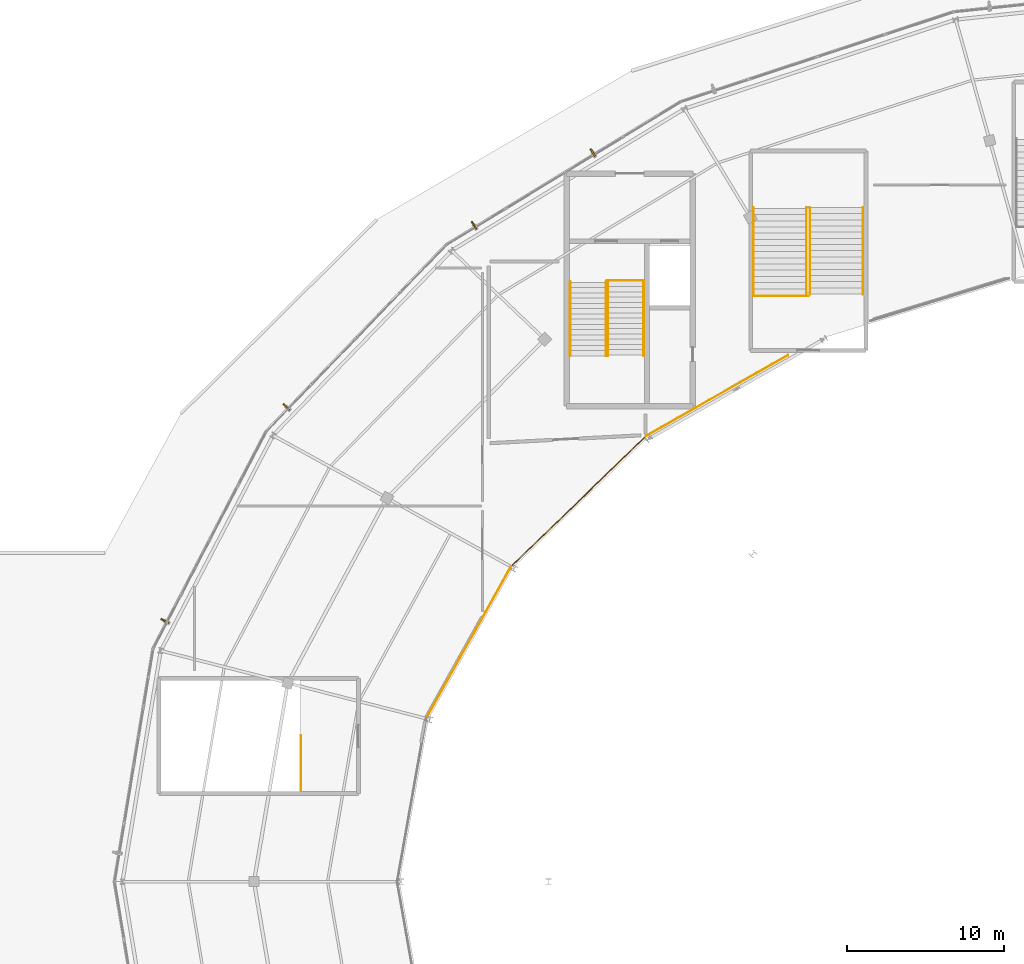
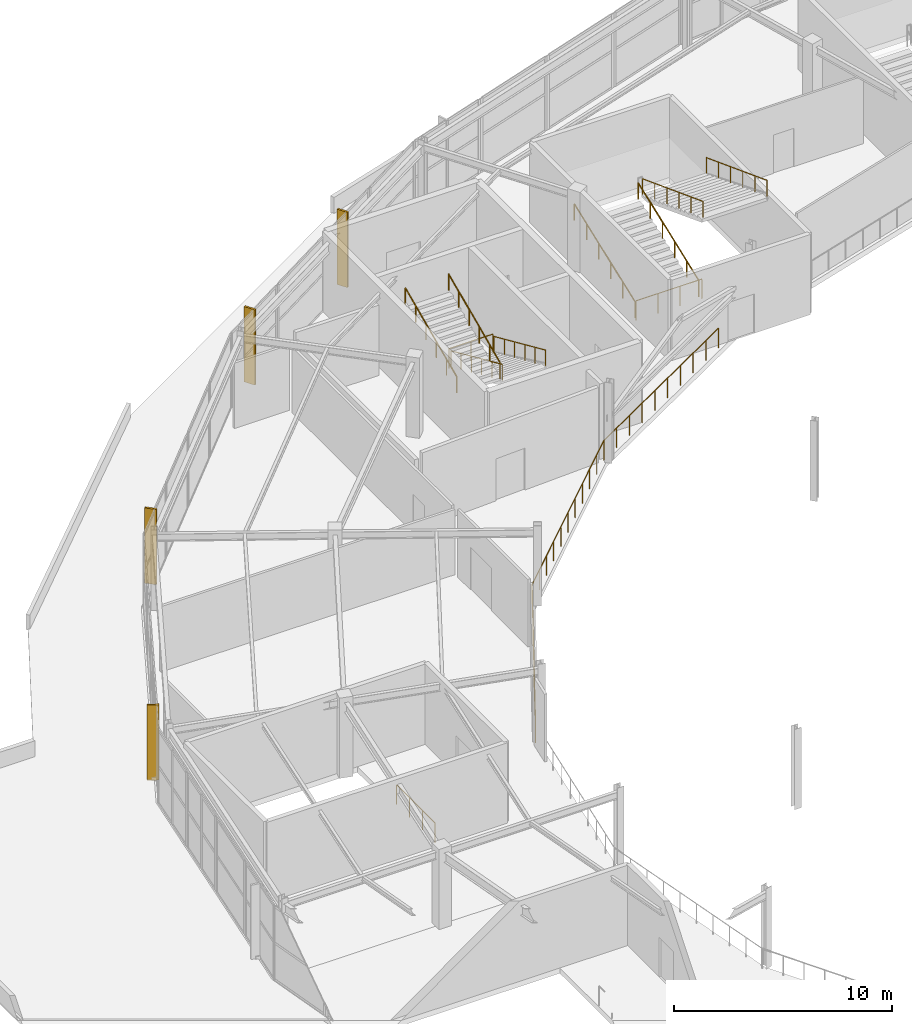
# One storey, part 121 of 126: 14 railings, 4 shading devices.
"""IFC4 building model written with IfcOpenShell, lengths in metres."""

from ifc_helpers import new_model, si_unit, direction, frame, origin, origin_2d, place, context, subcontext, project, spatial, rectangle, circle, extrude, material, layer, layer_set, type_object, element, save


model = new_model("IFC4")

# Units and contexts
model_context = context("Model", 3, precision=1e-05, world=origin(), true_north=direction((0.0, 1.0)))
body_context = subcontext(model_context, "Body", "Model", "MODEL_VIEW")
ifc_project = project(units=[si_unit("LENGTHUNIT", "METRE"), si_unit("AREAUNIT", "SQUARE_METRE"), si_unit("VOLUMEUNIT", "CUBIC_METRE"), si_unit("PLANEANGLEUNIT", "RADIAN"), si_unit("MASSUNIT", "GRAM", prefix="KILO")], contexts=[model_context])

# Site, building, storey
site_placement = place(None, origin())
site = spatial("IfcSite", under=ifc_project, at=site_placement, CompositionType="ELEMENT")
building_placement = place(site_placement, origin())
building = spatial("IfcBuilding", under=site, at=building_placement, Name="Kalgoora Escarpment Arena", CompositionType="ELEMENT")
storey_placement = place(building_placement, frame((0.0, 0.0, 18.89990234375)))
storey = spatial("IfcBuildingStorey", under=building, at=storey_placement, Name="L04", CompositionType="ELEMENT", Elevation=18.89990234375)

# Railings
ifc_material_1 = material(Name="Galvanised & powdercoated tubular steel", Category="steel")
railing_type_1 = type_object("IfcRailingType", Name="RAL-GUARD-1120", PredefinedType="GUARDRAIL", material=ifc_material_1)
railing_1_placement = place(storey_placement, frame((53.889892578125, 102.389892578125, 0.0)))
element("IfcRailing", 1, at=railing_1_placement, inside=storey, type_object=railing_type_1, Name="ST03 L04 floor landing well guard", PredefinedType="GUARDRAIL", context=body_context, shape_type="SweptSolid", body=[
    extrude(circle(Radius=0.02392578125, at=origin_2d()), frame((0.0, 0.0, 1.09619140625), z_axis=(-1.0, 0.0, 0.0), x_axis=(0.0, -1.0, 0.0)), (0.0, 0.0, 1.0), 2.33984375),
    extrude(circle(Radius=0.02099609375, at=origin_2d()), origin(), (0.0, 0.0, 1.0), 1.072021484375),
    extrude(circle(Radius=0.02099609375, at=origin_2d()), frame((-1.169921875, 0.0, 0.0)), (0.0, 0.0, 1.0), 1.072021484375),
    extrude(circle(Radius=0.02099609375, at=origin_2d()), frame((-2.33984375, 0.0, 0.0)), (0.0, 0.0, 1.0), 1.072021484375),
])
railing_2_placement = place(storey_placement, frame((60.909912109375, 101.409912109375, 0.0)))
element("IfcRailing", 2, at=railing_2_placement, inside=storey, type_object=railing_type_1, Name="ST09 L04 floor landing well guard", PredefinedType="GUARDRAIL", context=body_context, shape_type="SweptSolid", body=[
    extrude(circle(Radius=0.02392578125, at=origin_2d()), frame((0.0, 0.0, 1.09619140625), z_axis=(1.0, 0.0, 0.0), x_axis=(0.0, 1.0, 0.0)), (0.0, 0.0, 1.0), 3.489990234375),
    extrude(circle(Radius=0.02099609375, at=origin_2d()), origin(), (0.0, 0.0, 1.0), 1.072021484375),
    extrude(circle(Radius=0.02099609375, at=origin_2d()), frame((1.163330078125, 0.0, 0.0)), (0.0, 0.0, 1.0), 1.072021484375),
    extrude(circle(Radius=0.02099609375, at=origin_2d()), frame((2.32666015625, 0.0, 0.0)), (0.0, 0.0, 1.0), 1.072021484375),
    extrude(circle(Radius=0.02099609375, at=origin_2d()), frame((3.489990234375, 0.0, 0.0)), (0.0, 0.0, 1.0), 1.072021484375),
])
railing_3_placement = place(storey_placement, frame((32.010009765625, 69.81005859375, 0.0)))
element("IfcRailing", 3, at=railing_3_placement, inside=storey, type_object=railing_type_1, Name="ST17 top landing well guardrail", PredefinedType="GUARDRAIL", context=body_context, shape_type="SweptSolid", body=[
    extrude(circle(Radius=0.02392578125, at=origin_2d()), frame((0.0, 0.0, 1.09619140625), z_axis=(0.0, 1.0, 0.0), x_axis=(-1.0, 0.0, 0.0)), (0.0, 0.0, 1.0), 3.530029296875),
    extrude(circle(Radius=0.02099609375, at=origin_2d()), origin(), (0.0, 0.0, 1.0), 1.072021484375),
    extrude(circle(Radius=0.02099609375, at=origin_2d()), frame((0.0, 1.1767578125, 0.0)), (0.0, 0.0, 1.0), 1.072021484375),
    extrude(circle(Radius=0.02099609375, at=origin_2d()), frame((0.0, 2.353271484375, 0.0)), (0.0, 0.0, 1.0), 1.072021484375),
    extrude(circle(Radius=0.02099609375, at=origin_2d()), frame((0.0, 3.530029296875, 0.0)), (0.0, 0.0, 1.0), 1.072021484375),
])
railing_4_placement = place(storey_placement, frame((63.101318359375, 97.6201171875, 0.0)))
element("IfcRailing", 4, at=railing_4_placement, inside=storey, type_object=railing_type_1, Name="L04 concourse bowl balustrade 09", PredefinedType="GUARDRAIL", context=body_context, shape_type="SweptSolid", body=[
    extrude(circle(Radius=0.02392578125, at=origin_2d()), frame((0.0, 0.0, 1.09619140625), z_axis=(-0.869025858852, -0.494766668892, 0.0), x_axis=(0.494766668892, -0.869025858852, 0.0)), (0.0, 0.0, 1.0), 10.427490234375),
    extrude(circle(Radius=0.02099609375, at=origin_2d()), origin(), (0.0, 0.0, 1.0), 1.072021484375),
    extrude(circle(Radius=0.02099609375, at=origin_2d()), frame((-1.0068359375, -0.5732421875, 0.0)), (0.0, 0.0, 1.0), 1.072021484375),
    extrude(circle(Radius=0.02099609375, at=origin_2d()), frame((-2.013671875, -1.146484375, 0.0)), (0.0, 0.0, 1.0), 1.072021484375),
    extrude(circle(Radius=0.02099609375, at=origin_2d()), frame((-3.0205078125, -1.7197265625, 0.0)), (0.0, 0.0, 1.0), 1.072021484375),
    extrude(circle(Radius=0.02099609375, at=origin_2d()), frame((-4.02734375, -2.29296875, 0.0)), (0.0, 0.0, 1.0), 1.072021484375),
    extrude(circle(Radius=0.02099609375, at=origin_2d()), frame((-5.034423828125, -2.8662109375, 0.0)), (0.0, 0.0, 1.0), 1.072021484375),
    extrude(circle(Radius=0.02099609375, at=origin_2d()), frame((-6.041259765625, -3.439453125, 0.0)), (0.0, 0.0, 1.0), 1.072021484375),
    extrude(circle(Radius=0.02099609375, at=origin_2d()), frame((-7.048095703125, -4.0126953125, 0.0)), (0.0, 0.0, 1.0), 1.072021484375),
    extrude(circle(Radius=0.02099609375, at=origin_2d()), frame((-8.054931640625, -4.5859375, 0.0)), (0.0, 0.0, 1.0), 1.072021484375),
    extrude(circle(Radius=0.02099609375, at=origin_2d()), frame((-9.061767578125, -5.1591796875, 0.0)), (0.0, 0.0, 1.0), 1.072021484375),
])
railing_5_placement = place(storey_placement, frame((54.03955078125, 92.4609375, 0.0)))
element("IfcRailing", 5, at=railing_5_placement, inside=storey, type_object=railing_type_1, Name="L04 concourse bowl balustrade 10", PredefinedType="GUARDRAIL", context=body_context, shape_type="SweptSolid", body=[
    extrude(circle(Radius=0.02392578125, at=origin_2d()), frame((0.0, 0.0, 1.09619140625), z_axis=(-0.718905968005, -0.695107336436, 0.0), x_axis=(0.695107336436, -0.718905968005, 0.0)), (0.0, 0.0, 1.0), 11.9921875),
    extrude(circle(Radius=0.02099609375, at=origin_2d()), origin(), (0.0, 0.0, 1.0), 1.072021484375),
    extrude(circle(Radius=0.02099609375, at=origin_2d()), frame((-0.862060546875, -0.83349609375, 0.0)), (0.0, 0.0, 1.0), 1.072021484375),
    extrude(circle(Radius=0.02099609375, at=origin_2d()), frame((-1.724365234375, -1.667236328125, 0.0)), (0.0, 0.0, 1.0), 1.072021484375),
    extrude(circle(Radius=0.02099609375, at=origin_2d()), frame((-2.58642578125, -2.500732421875, 0.0)), (0.0, 0.0, 1.0), 1.072021484375),
    extrude(circle(Radius=0.02099609375, at=origin_2d()), frame((-3.448486328125, -3.33447265625, 0.0)), (0.0, 0.0, 1.0), 1.072021484375),
    extrude(circle(Radius=0.02099609375, at=origin_2d()), frame((-4.310546875, -4.16796875, 0.0)), (0.0, 0.0, 1.0), 1.072021484375),
    extrude(circle(Radius=0.02099609375, at=origin_2d()), frame((-5.1728515625, -5.00146484375, 0.0)), (0.0, 0.0, 1.0), 1.072021484375),
    extrude(circle(Radius=0.02099609375, at=origin_2d()), frame((-6.034912109375, -5.835205078125, 0.0)), (0.0, 0.0, 1.0), 1.072021484375),
    extrude(circle(Radius=0.02099609375, at=origin_2d()), frame((-6.89697265625, -6.668701171875, 0.0)), (0.0, 0.0, 1.0), 1.072021484375),
    extrude(circle(Radius=0.02099609375, at=origin_2d()), frame((-7.75927734375, -7.50244140625, 0.0)), (0.0, 0.0, 1.0), 1.072021484375),
    extrude(circle(Radius=0.02099609375, at=origin_2d()), frame((-8.621337890625, -8.3359375, 0.0)), (0.0, 0.0, 1.0), 1.072021484375),
])
railing_6_placement = place(storey_placement, frame((45.418212890625, 84.125, 0.0)))
element("IfcRailing", 6, at=railing_6_placement, inside=storey, type_object=railing_type_1, Name="L04 concourse bowl balustrade 11", PredefinedType="GUARDRAIL", context=body_context, shape_type="SweptSolid", body=[
    extrude(circle(Radius=0.02392578125, at=origin_2d()), frame((0.0, 0.0, 1.09619140625), z_axis=(-0.487470898581, -0.873139234622, 0.0), x_axis=(0.873139234622, -0.487470898581, 0.0)), (0.0, 0.0, 1.0), 11.117919921875),
    extrude(circle(Radius=0.02099609375, at=origin_2d()), origin(), (0.0, 0.0, 1.0), 1.072021484375),
    extrude(circle(Radius=0.02099609375, at=origin_2d()), frame((-0.5419921875, -0.970703125, 0.0)), (0.0, 0.0, 1.0), 1.072021484375),
    extrude(circle(Radius=0.02099609375, at=origin_2d()), frame((-1.083984375, -1.94140625, 0.0)), (0.0, 0.0, 1.0), 1.072021484375),
    extrude(circle(Radius=0.02099609375, at=origin_2d()), frame((-1.6259765625, -2.912353515625, 0.0)), (0.0, 0.0, 1.0), 1.072021484375),
    extrude(circle(Radius=0.02099609375, at=origin_2d()), frame((-2.16796875, -3.883056640625, 0.0)), (0.0, 0.0, 1.0), 1.072021484375),
    extrude(circle(Radius=0.02099609375, at=origin_2d()), frame((-2.7099609375, -4.853759765625, 0.0)), (0.0, 0.0, 1.0), 1.072021484375),
    extrude(circle(Radius=0.02099609375, at=origin_2d()), frame((-3.251708984375, -5.824462890625, 0.0)), (0.0, 0.0, 1.0), 1.072021484375),
    extrude(circle(Radius=0.02099609375, at=origin_2d()), frame((-3.793701171875, -6.795166015625, 0.0)), (0.0, 0.0, 1.0), 1.072021484375),
    extrude(circle(Radius=0.02099609375, at=origin_2d()), frame((-4.335693359375, -7.76611328125, 0.0)), (0.0, 0.0, 1.0), 1.072021484375),
    extrude(circle(Radius=0.02099609375, at=origin_2d()), frame((-4.877685546875, -8.73681640625, 0.0)), (0.0, 0.0, 1.0), 1.072021484375),
    extrude(circle(Radius=0.02099609375, at=origin_2d()), frame((-5.419677734375, -9.70751953125, 0.0)), (0.0, 0.0, 1.0), 1.072021484375),
])
ifc_material_2 = material(Name="Brushed stainless steel 316 handrail", Category="steel")
railing_type_2 = type_object("IfcRailingType", Name="RAL-HAND-920", PredefinedType="HANDRAIL", material=ifc_material_2)
for number, where, name in (
    (7, (53.89990234375, 102.31005859375, 0.110107421875), "ST03 L04 pitched stair handrail F1L"),
    (8, (51.610107421875, 102.31005859375, 0.110107421875), "ST03 L04 pitched stair handrail F1R"),
):
    element("IfcRailing", number, at=place(storey_placement, frame(where)), inside=storey, type_object=railing_type_2, Name=name, PredefinedType="HANDRAIL", context=body_context, shape_type="SweptSolid", body=[
        extrude(circle(Radius=0.02392578125, at=origin_2d()), frame((0.0, 0.0, 0.89599609375), z_axis=(0.0, -0.913643874524, 0.406515523129), x_axis=(1.0, 0.0, 0.0)), (0.0, 0.0, 1.0), 5.166015625),
        extrude(circle(Radius=0.02099609375, at=origin_2d()), origin(), (0.0, 0.0, 1.0), 0.871826171875),
        extrude(circle(Radius=0.02099609375, at=origin_2d()), frame((0.0, -0.944091796875, 0.419921875)), (0.0, 0.0, 1.0), 0.871826171875),
        extrude(circle(Radius=0.02099609375, at=origin_2d()), frame((0.0, -1.887939453125, 0.840087890625)), (0.0, 0.0, 1.0), 0.871826171875),
        extrude(circle(Radius=0.02099609375, at=origin_2d()), frame((0.0, -2.83203125, 1.260009765625)), (0.0, 0.0, 1.0), 0.871826171875),
        extrude(circle(Radius=0.02099609375, at=origin_2d()), frame((0.0, -3.77587890625, 1.68017578125)), (0.0, 0.0, 1.0), 0.871826171875),
        extrude(circle(Radius=0.02099609375, at=origin_2d()), frame((0.0, -4.719970703125, 2.10009765625)), (0.0, 0.0, 1.0), 0.871826171875),
    ])
for number, where, name in (
    (9, (51.489990234375, 97.590087890625, 2.360107421875), "ST03 L04 pitched stair handrail F2L"),
    (10, (49.199951171875, 97.590087890625, 2.360107421875), "ST03 L04 pitched stair handrail F2R"),
):
    element("IfcRailing", number, at=place(storey_placement, frame(where)), inside=storey, type_object=railing_type_2, Name=name, PredefinedType="HANDRAIL", context=body_context, shape_type="SweptSolid", body=[
        extrude(circle(Radius=0.02392578125, at=origin_2d()), frame((0.0, 0.0, 0.89599609375), z_axis=(0.0, 0.913643874524, 0.406515523129), x_axis=(-1.0, 0.0, 0.0)), (0.0, 0.0, 1.0), 5.166015625),
        extrude(circle(Radius=0.02099609375, at=origin_2d()), origin(), (0.0, 0.0, 1.0), 0.871826171875),
        extrude(circle(Radius=0.02099609375, at=origin_2d()), frame((0.0, 0.944091796875, 0.419921875)), (0.0, 0.0, 1.0), 0.871826171875),
        extrude(circle(Radius=0.02099609375, at=origin_2d()), frame((0.0, 1.887939453125, 0.840087890625)), (0.0, 0.0, 1.0), 0.871826171875),
        extrude(circle(Radius=0.02099609375, at=origin_2d()), frame((0.0, 2.83203125, 1.260009765625)), (0.0, 0.0, 1.0), 0.871826171875),
        extrude(circle(Radius=0.02099609375, at=origin_2d()), frame((0.0, 3.77587890625, 1.68017578125)), (0.0, 0.0, 1.0), 0.871826171875),
        extrude(circle(Radius=0.02099609375, at=origin_2d()), frame((0.0, 4.719970703125, 2.10009765625)), (0.0, 0.0, 1.0), 0.871826171875),
    ])
for number, where, name in (
    (11, (60.89990234375, 101.489990234375, 0.110107421875), "ST09 L04 pitched stair handrail F1L"),
    (12, (64.284912109375, 101.489990234375, 0.110107421875), "ST09 L04 pitched stair handrail F1R"),
):
    element("IfcRailing", number, at=place(storey_placement, frame(where)), inside=storey, type_object=railing_type_2, Name=name, PredefinedType="HANDRAIL", context=body_context, shape_type="SweptSolid", body=[
        extrude(circle(Radius=0.02392578125, at=origin_2d()), frame((0.0, 0.0, 0.89599609375), z_axis=(0.0, 0.935492612948, 0.353346248203), x_axis=(-1.0, 0.0, 0.0)), (0.0, 0.0, 1.0), 5.943359375),
        extrude(circle(Radius=0.02099609375, at=origin_2d()), origin(), (0.0, 0.0, 1.0), 0.871826171875),
        extrude(circle(Radius=0.02099609375, at=origin_2d()), frame((0.0, 1.112060546875, 0.419921875)), (0.0, 0.0, 1.0), 0.871826171875),
        extrude(circle(Radius=0.02099609375, at=origin_2d()), frame((0.0, 2.22412109375, 0.840087890625)), (0.0, 0.0, 1.0), 0.871826171875),
        extrude(circle(Radius=0.02099609375, at=origin_2d()), frame((0.0, 3.3359375, 1.260009765625)), (0.0, 0.0, 1.0), 0.871826171875),
        extrude(circle(Radius=0.02099609375, at=origin_2d()), frame((0.0, 4.447998046875, 1.68017578125)), (0.0, 0.0, 1.0), 0.871826171875),
        extrude(circle(Radius=0.02099609375, at=origin_2d()), frame((0.0, 5.56005859375, 2.10009765625)), (0.0, 0.0, 1.0), 0.871826171875),
    ])
for number, where, name in (
    (13, (64.514892578125, 107.050048828125, 2.360107421875), "ST09 L04 pitched stair handrail F2L"),
    (14, (67.89990234375, 107.050048828125, 2.360107421875), "ST09 L04 pitched stair handrail F2R"),
):
    element("IfcRailing", number, at=place(storey_placement, frame(where)), inside=storey, type_object=railing_type_2, Name=name, PredefinedType="HANDRAIL", context=body_context, shape_type="SweptSolid", body=[
        extrude(circle(Radius=0.02392578125, at=origin_2d()), frame((0.0, 0.0, 0.89599609375), z_axis=(0.0, -0.935492612948, 0.353346248203), x_axis=(1.0, 0.0, 0.0)), (0.0, 0.0, 1.0), 5.943359375),
        extrude(circle(Radius=0.02099609375, at=origin_2d()), origin(), (0.0, 0.0, 1.0), 0.871826171875),
        extrude(circle(Radius=0.02099609375, at=origin_2d()), frame((0.0, -1.112060546875, 0.419921875)), (0.0, 0.0, 1.0), 0.871826171875),
        extrude(circle(Radius=0.02099609375, at=origin_2d()), frame((0.0, -2.22412109375, 0.840087890625)), (0.0, 0.0, 1.0), 0.871826171875),
        extrude(circle(Radius=0.02099609375, at=origin_2d()), frame((0.0, -3.3359375, 1.260009765625)), (0.0, 0.0, 1.0), 0.871826171875),
        extrude(circle(Radius=0.02099609375, at=origin_2d()), frame((0.0, -4.447998046875, 1.68017578125)), (0.0, 0.0, 1.0), 0.871826171875),
        extrude(circle(Radius=0.02099609375, at=origin_2d()), frame((0.0, -5.56005859375, 2.10009765625)), (0.0, 0.0, 1.0), 0.871826171875),
    ])

# Shading devices
ifc_material_3 = material(Name="Champagne anodised extruded aluminium", Category="aluminium")
ifc_layer = layer(ifc_material_3, 0.080078125)
ifc_layer_set = layer_set([ifc_layer], Name="SHD-FIN-CHAMP")
shading_device_type = type_object("IfcShadingDeviceType", Name="SHD-FIN-CHAMP", PredefinedType="USERDEFINED", material=ifc_layer_set)
for number, where, z_axis, x_axis, name in (
    (15, (23.306396484375, 80.64990234375, 0.0), (0.0, 0.0, 1.0), (-0.887010833178, 0.461748613235, 0.0), "L04 champagne anodised solar fin 28"),
    (16, (31.077392578125, 94.31494140625, 0.0), (0.0, 0.0, 1.0), (-0.71982458803, 0.694156007298, 0.0), "L04 champagne anodised solar fin 29"),
    (17, (43.051513671875, 105.926513671875, 0.0), (0.0, 0.0, 1.0), (-0.521009631841, 0.853550797275, 0.0), "L04 champagne anodised solar fin 30"),
    (18, (50.6396484375, 110.55908203125, 0.0), (0.0, 0.0, 1.0), (-0.521009631841, 0.853550797275, 0.0), "L04 champagne anodised solar fin 31"),
):
    element("IfcShadingDevice", number, at=place(storey_placement, frame(where, z_axis=z_axis, x_axis=x_axis)), inside=storey, type_object=shading_device_type, Name=name, ObjectType="FIN", PredefinedType="USERDEFINED", context=body_context, shape_type="SweptSolid", body=[
        extrude(rectangle(XDim=0.56005859375, YDim=0.10009765625, at=origin_2d()), origin(), (0.0, 0.0, 1.0), 4.219970703125),
    ])

save(model, "model.ifc")
